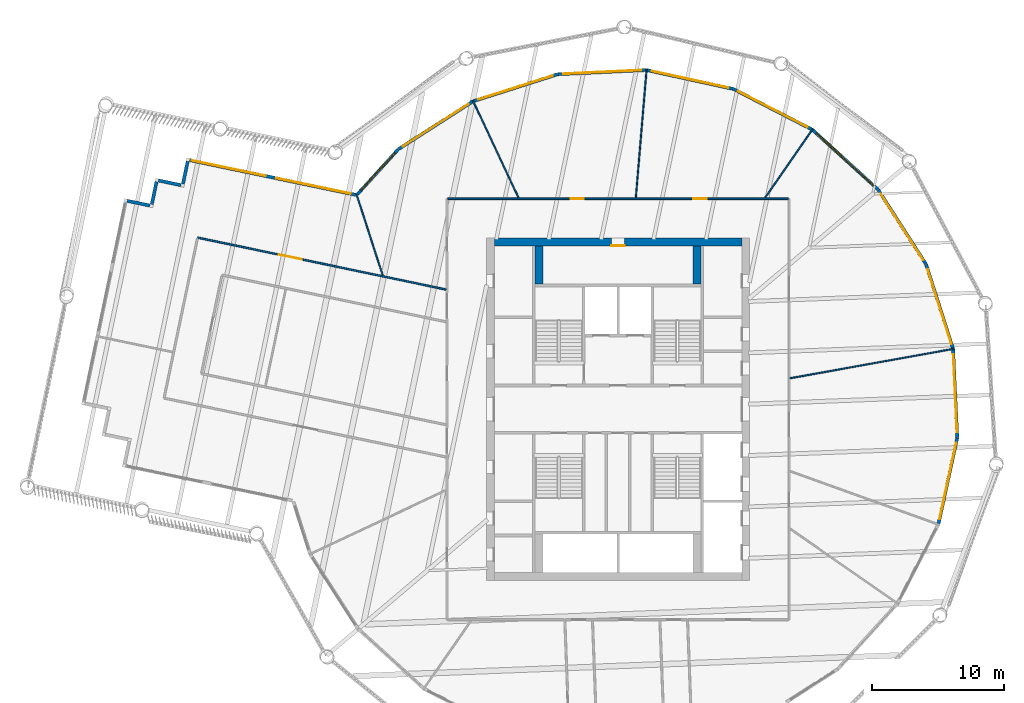
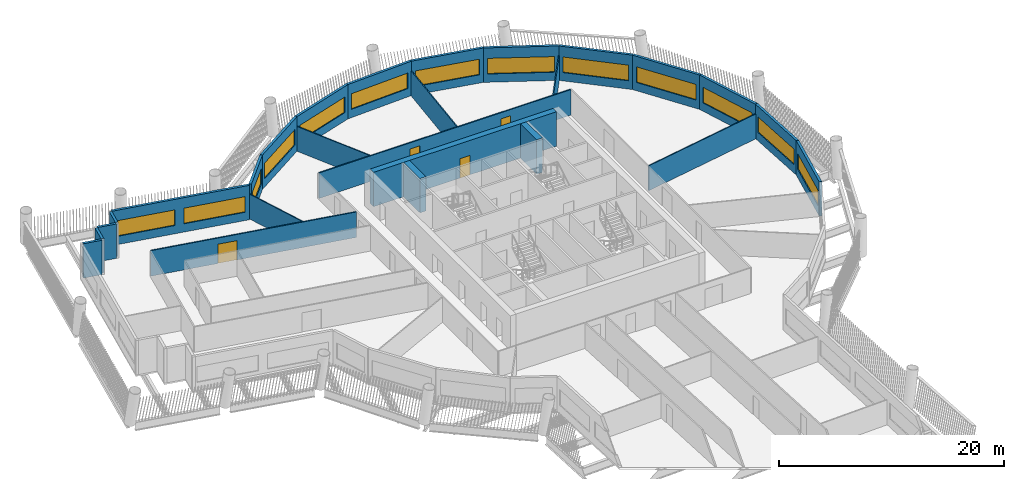
# One storey, part 6 of 14: 26 walls, 13 windows, 4 doors, 17 openings.
"""IFC4 building model written with IfcOpenShell, lengths in metres."""

from ifc_helpers import new_model, si_unit, direction, frame, frame_2d, origin, place, context, subcontext, project, spatial, rectangle, extrude, material, layer, layer_set, type_object, element, fill, save


model = new_model("IFC4")

# Units and contexts
model_context = context("Model", 3, precision=1e-05, world=origin(), true_north=direction((0.0, 1.0)))
body_context = subcontext(model_context, "Body", "Model", "MODEL_VIEW")
ifc_project = project(units=[si_unit("LENGTHUNIT", "METRE"), si_unit("AREAUNIT", "SQUARE_METRE"), si_unit("VOLUMEUNIT", "CUBIC_METRE"), si_unit("PLANEANGLEUNIT", "RADIAN"), si_unit("MASSUNIT", "GRAM", prefix="KILO")], contexts=[model_context])

# Site, building, storey
site_placement = place(None, origin())
site = spatial("IfcSite", under=ifc_project, at=site_placement, CompositionType="ELEMENT")
building_placement = place(site_placement, origin())
building = spatial("IfcBuilding", under=site, at=building_placement, Name="Tarsis Ring Headquarters", CompositionType="ELEMENT")
storey_placement = place(building_placement, frame((0.0, 0.0, 235.5)))
storey = spatial("IfcBuildingStorey", under=building, at=storey_placement, Name="L55", CompositionType="ELEMENT", Elevation=235.5)

# Wall, opening, door
ifc_material_1 = material(Name="Concrete C50/60", Category="concrete")
ifc_layer_1 = layer(ifc_material_1, 0.60009765625)
ifc_layer_set_1 = layer_set([ifc_layer_1], Name="Core wall 600 C50/60")
wall_type_1 = type_object("IfcWallType", Name="Core wall 600 C50/60", PredefinedType="SHEAR", material=ifc_layer_set_1)
wall_1_placement = place(storey_placement, frame((-9.39990234375, 12.699951171875, 0.0), z_axis=(0.0, 0.0, 1.0), x_axis=(1.0, 0.0, 0.0)))
wall_1 = element("IfcWall", 1, at=wall_1_placement, inside=storey, type_object=wall_type_1, Name="Core wall ON", PredefinedType="SHEAR", context=body_context, shape_type="SweptSolid", body=[
    extrude(rectangle(XDim=18.7998046875, YDim=0.60009765625, at=frame_2d((9.39990234375, 0.0))), origin(), (0.0, 0.0, 1.0), 3.739990234375),
])
opening_1_placement = place(wall_1_placement, frame((8.89990234375, 0.0, 0.0)))
opening_1 = element("IfcOpeningElement", 2, at=opening_1_placement, cuts=wall_1, Name="Opening L55-C15", PredefinedType="OPENING", context=body_context, shape_type="SweptSolid", body=[
    extrude(rectangle(XDim=1.0, YDim=2.10009765625, at=frame_2d((0.5, 1.050048828125))), frame((0.0, 0.31005859375, 0.0), z_axis=(0.0, -1.0, 0.0), x_axis=(1.0, 0.0, 0.0)), (0.0, 0.0, 1.0), 0.6201171875),
])
ifc_material_2 = material(Name="Steel S355", Category="steel")
door_type_1 = type_object("IfcDoorType", Name="Core room door 1000x2100", OperationType="SINGLE_SWING_LEFT", PredefinedType="DOOR", material=ifc_material_2)
door_1_placement = place(opening_1_placement, origin())
door_1 = element("IfcDoor", 3, at=door_1_placement, inside=storey, type_object=door_type_1, Name="Core room door L55", OperationType="SINGLE_SWING_LEFT", OverallHeight=2.10009765625, OverallWidth=1.0, PredefinedType="DOOR", context=body_context, shape_type="SweptSolid", body=[
    extrude(rectangle(XDim=1.0, YDim=2.10009765625, at=frame_2d((0.5, 1.050048828125))), frame((0.0, -0.25, 0.0), z_axis=(0.0, -1.0, 0.0), x_axis=(1.0, 0.0, 0.0)), (0.0, 0.0, 1.0), 0.050048828125),
])
fill(opening_1, door_1)

# Walls
ifc_material_3 = material(Name="Gypsum board on steel studs", Category="steel")
ifc_layer_2 = layer(ifc_material_3, 0.10009765625)
ifc_layer_set_2 = layer_set([ifc_layer_2], Name="FL partition 100 unrated")
wall_type_2 = type_object("IfcWallType", Name="FL partition 100 unrated", PredefinedType="PARTITIONING", material=ifc_layer_set_2)
wall_2_placement = place(storey_placement, frame((13.06884765625, 2.3515625, 0.0), z_axis=(0.0, 0.0, 1.0), x_axis=(0.984197230571, 0.177075722039, 0.0)))
element("IfcWall", 4, at=wall_2_placement, inside=storey, type_object=wall_type_2, Name="Partition PW3", PredefinedType="PARTITIONING", context=body_context, shape_type="SweptSolid", body=[
    extrude(rectangle(XDim=12.669189453125, YDim=0.10009765625, at=frame_2d((6.33447265625, 0.0))), origin(), (0.0, 0.0, 1.0), 2.699951171875),
])
wall_3_placement = place(storey_placement, frame((1.349365234375, 16.06982421875, 0.0), z_axis=(0.0, 0.0, 1.0), x_axis=(0.083697604442, 0.996491199665, 0.0)))
element("IfcWall", 5, at=wall_3_placement, inside=storey, type_object=wall_type_2, Name="Partition PW3", PredefinedType="PARTITIONING", context=body_context, shape_type="SweptSolid", body=[
    extrude(rectangle(XDim=9.8212890625, YDim=0.10009765625, at=frame_2d((4.91064453125, 0.0))), origin(), (0.0, 0.0, 1.0), 2.699951171875),
])
wall_4_placement = place(storey_placement, frame((-11.048095703125, 23.478271484375, 0.0), z_axis=(0.0, 0.0, 1.0), x_axis=(0.42580134582, -0.904816674193, 0.0)))
element("IfcWall", 6, at=wall_4_placement, inside=storey, type_object=wall_type_2, Name="Partition PW3", PredefinedType="PARTITIONING", context=body_context, shape_type="SweptSolid", body=[
    extrude(rectangle(XDim=8.184814453125, YDim=0.10009765625, at=frame_2d((4.09228515625, 0.0))), origin(), (0.0, 0.0, 1.0), 2.699951171875),
])
wall_5_placement = place(storey_placement, frame((-19.88232421875, 16.3359375, 0.0), z_axis=(0.0, 0.0, 1.0), x_axis=(0.308199143562, -0.951321863466, 0.0)))
element("IfcWall", 7, at=wall_5_placement, inside=storey, type_object=wall_type_2, Name="Partition PW3", PredefinedType="PARTITIONING", context=body_context, shape_type="SweptSolid", body=[
    extrude(rectangle(XDim=6.468017578125, YDim=0.10009765625, at=frame_2d((3.23388671875, 0.0))), origin(), (0.0, 0.0, 1.0), 2.699951171875),
])
wall_6_placement = place(storey_placement, frame((11.177490234375, 16.08203125, 0.0), z_axis=(0.0, 0.0, 1.0), x_axis=(0.570693452675, 0.821163189064, 0.0)))
element("IfcWall", 8, at=wall_6_placement, inside=storey, type_object=wall_type_2, Name="Partition PW3", PredefinedType="PARTITIONING", context=body_context, shape_type="SweptSolid", body=[
    extrude(rectangle(XDim=6.363037109375, YDim=0.10009765625, at=frame_2d((3.181640625, 0.0))), origin(), (0.0, 0.0, 1.0), 2.699951171875),
])

# Wall, openings, doors
ifc_layer_3 = layer(ifc_material_3, 0.125)
ifc_layer_set_3 = layer_set([ifc_layer_3], Name="FL partition 125 EI 60 H2770")
wall_type_3 = type_object("IfcWallType", Name="FL partition 125 EI 60 H2770", PredefinedType="PARTITIONING", material=ifc_layer_set_3)
wall_7_placement = place(storey_placement, frame((-12.93994140625, 16.0, 0.0), z_axis=(0.0, 0.0, 1.0), x_axis=(1.0, 0.0, 0.0)))
wall_7 = element("IfcWall", 9, at=wall_7_placement, inside=storey, type_object=wall_type_3, Name="Partition PW1", PredefinedType="PARTITIONING", context=body_context, shape_type="SweptSolid", body=[
    extrude(rectangle(XDim=25.8798828125, YDim=0.125, at=frame_2d((12.93994140625, 0.0))), origin(), (0.0, 0.0, 1.0), 2.77001953125),
])
opening_2_placement = place(wall_7_placement, frame((9.347412109375, 0.0, 0.0)))
opening_2 = element("IfcOpeningElement", 10, at=opening_2_placement, cuts=wall_7, Name="Opening D55.04", PredefinedType="OPENING", context=body_context, shape_type="SweptSolid", body=[
    extrude(rectangle(XDim=1.0, YDim=2.10009765625, at=frame_2d((0.5, 1.050048828125))), frame((0.0, 0.072509765625, 0.0), z_axis=(0.0, -1.0, 0.0), x_axis=(1.0, 0.0, 0.0)), (0.0, 0.0, 1.0), 0.14501953125),
])
opening_3_placement = place(wall_7_placement, frame((18.671875, 0.0, 0.0)))
opening_3 = element("IfcOpeningElement", 11, at=opening_3_placement, cuts=wall_7, Name="Opening D55.05", PredefinedType="OPENING", context=body_context, shape_type="SweptSolid", body=[
    extrude(rectangle(XDim=1.0, YDim=2.10009765625, at=frame_2d((0.5, 1.050048828125))), frame((0.0, 0.072509765625, 0.0), z_axis=(0.0, -1.0, 0.0), x_axis=(1.0, 0.0, 0.0)), (0.0, 0.0, 1.0), 0.14501953125),
])
ifc_material_4 = material(Name="Fire-rated timber door leaf in steel frame", Category="steel")
door_type_2 = type_object("IfcDoorType", Name="FL door FD60-1000", OperationType="NOTDEFINED", PredefinedType="DOOR", material=ifc_material_4)
door_2_placement = place(opening_2_placement, origin())
door_2 = element("IfcDoor", 12, at=door_2_placement, inside=storey, type_object=door_type_2, Name="Door D55.04", OperationType="SINGLE_SWING_LEFT", OverallHeight=2.10009765625, OverallWidth=1.0, PredefinedType="DOOR", context=body_context, shape_type="SweptSolid", body=[
    extrude(rectangle(XDim=1.0, YDim=2.10009765625, at=frame_2d((0.5, 1.050048828125))), frame((0.0, 0.02490234375, 0.0), z_axis=(0.0, -1.0, 0.0), x_axis=(1.0, 0.0, 0.0)), (0.0, 0.0, 1.0), 0.050048828125),
])
fill(opening_2, door_2)
door_3_placement = place(opening_3_placement, origin())
door_3 = element("IfcDoor", 13, at=door_3_placement, inside=storey, type_object=door_type_2, Name="Door D55.05", OperationType="SINGLE_SWING_RIGHT", OverallHeight=2.10009765625, OverallWidth=1.0, PredefinedType="DOOR", context=body_context, shape_type="SweptSolid", body=[
    extrude(rectangle(XDim=1.0, YDim=2.10009765625, at=frame_2d((0.5, 1.050048828125))), frame((0.0, 0.02490234375, 0.0), z_axis=(0.0, -1.0, 0.0), x_axis=(1.0, 0.0, 0.0)), (0.0, 0.0, 1.0), 0.050048828125),
])
fill(opening_3, door_3)

# Wall, opening, door
wall_8_placement = place(storey_placement, frame((-31.95849609375, 13.041015625, 0.0), z_axis=(0.0, 0.0, 1.0), x_axis=(0.978867545405, -0.20449530203, 0.0)))
wall_8 = element("IfcWall", 14, at=wall_8_placement, inside=storey, type_object=wall_type_3, Name="Partition PW1", PredefinedType="PARTITIONING", context=body_context, shape_type="SweptSolid", body=[
    extrude(rectangle(XDim=19.297607421875, YDim=0.125, at=frame_2d((9.64892578125, 0.0))), origin(), (0.0, 0.0, 1.0), 2.77001953125),
])
opening_4_placement = place(wall_8_placement, frame((6.299560546875, 0.0, 0.0)))
opening_4 = element("IfcOpeningElement", 15, at=opening_4_placement, cuts=wall_8, Name="Opening D55.02", PredefinedType="OPENING", context=body_context, shape_type="SweptSolid", body=[
    extrude(rectangle(XDim=1.800048828125, YDim=2.10009765625, at=frame_2d((0.89990234375, 1.050048828125))), frame((0.0, 0.072509765625, 0.0), z_axis=(0.0, -1.0, 0.0), x_axis=(1.0, 0.0, 0.0)), (0.0, 0.0, 1.0), 0.14501953125),
])
door_type_3 = type_object("IfcDoorType", Name="FL door FD60-1800", OperationType="DOUBLE_DOOR_SINGLE_SWING", PredefinedType="DOOR", material=ifc_material_4)
door_4_placement = place(opening_4_placement, origin())
door_4 = element("IfcDoor", 16, at=door_4_placement, inside=storey, type_object=door_type_3, Name="Door D55.02", OperationType="DOUBLE_DOOR_SINGLE_SWING", OverallHeight=2.10009765625, OverallWidth=1.800048828125, PredefinedType="DOOR", context=body_context, shape_type="SweptSolid", body=[
    extrude(rectangle(XDim=1.800048828125, YDim=2.10009765625, at=frame_2d((0.89990234375, 1.050048828125))), frame((0.0, 0.02490234375, 0.0), z_axis=(0.0, -1.0, 0.0), x_axis=(1.0, 0.0, 0.0)), (0.0, 0.0, 1.0), 0.050048828125),
])
fill(opening_4, door_4)

# Wall, opening, window
ifc_material_5 = material(Name="Terracotta clad insulated panel wall", Category="masonry")
ifc_layer_4 = layer(ifc_material_5, 0.25)
ifc_layer_set_4 = layer_set([ifc_layer_4], Name="Facade wall terracotta panel 250")
wall_type_4 = type_object("IfcWallType", Name="Facade wall terracotta panel 250", PredefinedType="STANDARD", material=ifc_layer_set_4)
wall_9_placement = place(storey_placement, frame((24.347900390625, -8.748291015625, 0.0), z_axis=(0.0, 0.0, 1.0), x_axis=(0.213032797169, 0.977045048772, 0.0)))
wall_9 = element("IfcWall", 17, at=wall_9_placement, inside=storey, type_object=wall_type_4, Name="External wall L55-20", PredefinedType="STANDARD", context=body_context, shape_type="SweptSolid", body=[
    extrude(rectangle(XDim=6.721435546875, YDim=0.25, at=frame_2d((3.36083984375, 0.0))), origin(), (0.0, 0.0, 1.0), 3.739990234375),
])
opening_5_placement = place(wall_9_placement, frame((0.3857421875, 0.0, 0.89990234375)))
opening_5 = element("IfcOpeningElement", 18, at=opening_5_placement, cuts=wall_9, Name="Opening WN07", PredefinedType="OPENING", context=body_context, shape_type="SweptSolid", body=[
    extrude(rectangle(XDim=5.949951171875, YDim=1.699951171875, at=frame_2d((2.97509765625, 0.85009765625))), frame((0.0, 0.135009765625, 0.0), z_axis=(0.0, -1.0, 0.0), x_axis=(1.0, 0.0, 0.0)), (0.0, 0.0, 1.0), 0.27001953125),
])
ifc_material_6 = material(Name="Aluminium framed double glazing", Category="aluminium")
window_type_1 = type_object("IfcWindowType", Name="Facade window 5950 x 1700", PartitioningType="SINGLE_PANEL", PredefinedType="WINDOW", material=ifc_material_6)
window_1_placement = place(opening_5_placement, origin())
window_1 = element("IfcWindow", 19, at=window_1_placement, inside=storey, type_object=window_type_1, Name="Window L55-20.1", OverallHeight=1.699951171875, OverallWidth=5.949951171875, PartitioningType="SINGLE_PANEL", PredefinedType="WINDOW", context=body_context, shape_type="SweptSolid", body=[
    extrude(rectangle(XDim=5.949951171875, YDim=1.699951171875, at=frame_2d((2.97509765625, 0.85009765625))), frame((0.0, 0.030029296875, 0.0), z_axis=(0.0, -1.0, 0.0), x_axis=(1.0, 0.0, 0.0)), (0.0, 0.0, 1.0), 0.06005859375),
])
fill(opening_5, window_1)

wall_10_placement = place(storey_placement, frame((25.782470703125, -2.148681640625, 0.0), z_axis=(0.0, 0.0, 1.0), x_axis=(-0.047109558842, 0.998889728381, 0.0)))
wall_10 = element("IfcWall", 20, at=wall_10_placement, inside=storey, type_object=wall_type_4, Name="External wall L55-21", PredefinedType="STANDARD", context=body_context, shape_type="SweptSolid", body=[
    extrude(rectangle(XDim=6.7216796875, YDim=0.25, at=frame_2d((3.36083984375, 0.0))), origin(), (0.0, 0.0, 1.0), 3.739990234375),
])
opening_6_placement = place(wall_10_placement, frame((0.3857421875, 0.0, 0.89990234375)))
opening_6 = element("IfcOpeningElement", 21, at=opening_6_placement, cuts=wall_10, Name="Opening WN07", PredefinedType="OPENING", context=body_context, shape_type="SweptSolid", body=[
    extrude(rectangle(XDim=5.949951171875, YDim=1.699951171875, at=frame_2d((2.97509765625, 0.85009765625))), frame((0.0, 0.135009765625, 0.0), z_axis=(0.0, -1.0, 0.0), x_axis=(1.0, 0.0, 0.0)), (0.0, 0.0, 1.0), 0.27001953125),
])
window_2_placement = place(opening_6_placement, origin())
window_2 = element("IfcWindow", 22, at=window_2_placement, inside=storey, type_object=window_type_1, Name="Window L55-21.1", OverallHeight=1.699951171875, OverallWidth=5.949951171875, PartitioningType="SINGLE_PANEL", PredefinedType="WINDOW", context=body_context, shape_type="SweptSolid", body=[
    extrude(rectangle(XDim=5.949951171875, YDim=1.699951171875, at=frame_2d((2.97509765625, 0.85009765625))), frame((0.0, 0.030029296875, 0.0), z_axis=(0.0, -1.0, 0.0), x_axis=(1.0, 0.0, 0.0)), (0.0, 0.0, 1.0), 0.06005859375),
])
fill(opening_6, window_2)

wall_11_placement = place(storey_placement, frame((25.4599609375, 4.59765625, 0.0), z_axis=(0.0, 0.0, 1.0), x_axis=(-0.30401913235, 0.952665926317, 0.0)))
wall_11 = element("IfcWall", 23, at=wall_11_placement, inside=storey, type_object=wall_type_4, Name="External wall L55-22", PredefinedType="STANDARD", context=body_context, shape_type="SweptSolid", body=[
    extrude(rectangle(XDim=6.721435546875, YDim=0.25, at=frame_2d((3.36083984375, 0.0))), origin(), (0.0, 0.0, 1.0), 3.739990234375),
])
opening_7_placement = place(wall_11_placement, frame((0.3857421875, 0.0, 0.89990234375)))
opening_7 = element("IfcOpeningElement", 24, at=opening_7_placement, cuts=wall_11, Name="Opening WN07", PredefinedType="OPENING", context=body_context, shape_type="SweptSolid", body=[
    extrude(rectangle(XDim=5.949951171875, YDim=1.699951171875, at=frame_2d((2.97509765625, 0.85009765625))), frame((0.0, 0.135009765625, 0.0), z_axis=(0.0, -1.0, 0.0), x_axis=(1.0, 0.0, 0.0)), (0.0, 0.0, 1.0), 0.27001953125),
])
window_3_placement = place(opening_7_placement, origin())
window_3 = element("IfcWindow", 25, at=window_3_placement, inside=storey, type_object=window_type_1, Name="Window L55-22.1", OverallHeight=1.699951171875, OverallWidth=5.949951171875, PartitioningType="SINGLE_PANEL", PredefinedType="WINDOW", context=body_context, shape_type="SweptSolid", body=[
    extrude(rectangle(XDim=5.949951171875, YDim=1.699951171875, at=frame_2d((2.97509765625, 0.85009765625))), frame((0.0, 0.030029296875, 0.0), z_axis=(0.0, -1.0, 0.0), x_axis=(1.0, 0.0, 0.0)), (0.0, 0.0, 1.0), 0.06005859375),
])
fill(opening_7, window_3)

wall_12_placement = place(storey_placement, frame((23.402587890625, 11.030517578125, 0.0), z_axis=(0.0, 0.0, 1.0), x_axis=(-0.54025082343, 0.841504039077, 0.0)))
wall_12 = element("IfcWall", 26, at=wall_12_placement, inside=storey, type_object=wall_type_4, Name="External wall L55-23", PredefinedType="STANDARD", context=body_context, shape_type="SweptSolid", body=[
    extrude(rectangle(XDim=6.7216796875, YDim=0.25, at=frame_2d((3.36083984375, 0.0))), origin(), (0.0, 0.0, 1.0), 3.739990234375),
])
opening_8_placement = place(wall_12_placement, frame((0.3857421875, 0.0, 0.89990234375)))
opening_8 = element("IfcOpeningElement", 27, at=opening_8_placement, cuts=wall_12, Name="Opening WN07", PredefinedType="OPENING", context=body_context, shape_type="SweptSolid", body=[
    extrude(rectangle(XDim=5.949951171875, YDim=1.699951171875, at=frame_2d((2.97509765625, 0.85009765625))), frame((0.0, 0.135009765625, 0.0), z_axis=(0.0, -1.0, 0.0), x_axis=(1.0, 0.0, 0.0)), (0.0, 0.0, 1.0), 0.27001953125),
])
window_4_placement = place(opening_8_placement, origin())
window_4 = element("IfcWindow", 28, at=window_4_placement, inside=storey, type_object=window_type_1, Name="Window L55-23.1", OverallHeight=1.699951171875, OverallWidth=5.949951171875, PartitioningType="SINGLE_PANEL", PredefinedType="WINDOW", context=body_context, shape_type="SweptSolid", body=[
    extrude(rectangle(XDim=5.949951171875, YDim=1.699951171875, at=frame_2d((2.97509765625, 0.85009765625))), frame((0.0, 0.030029296875, 0.0), z_axis=(0.0, -1.0, 0.0), x_axis=(1.0, 0.0, 0.0)), (0.0, 0.0, 1.0), 0.06005859375),
])
fill(opening_8, window_4)

wall_13_placement = place(storey_placement, frame((19.750244140625, 16.711669921875, 0.0), z_axis=(0.0, 0.0, 1.0), x_axis=(-0.739629365562, 0.673014414109, 0.0)))
wall_13 = element("IfcWall", 29, at=wall_13_placement, inside=storey, type_object=wall_type_4, Name="External wall L55-24", PredefinedType="STANDARD", context=body_context, shape_type="SweptSolid", body=[
    extrude(rectangle(XDim=6.721435546875, YDim=0.25, at=frame_2d((3.36083984375, 0.0))), origin(), (0.0, 0.0, 1.0), 3.739990234375),
])
opening_9_placement = place(wall_13_placement, frame((0.3857421875, 0.0, 0.89990234375)))
opening_9 = element("IfcOpeningElement", 30, at=opening_9_placement, cuts=wall_13, Name="Opening WN07", PredefinedType="OPENING", context=body_context, shape_type="SweptSolid", body=[
    extrude(rectangle(XDim=5.949951171875, YDim=1.699951171875, at=frame_2d((2.97509765625, 0.85009765625))), frame((0.0, 0.135009765625, 0.0), z_axis=(0.0, -1.0, 0.0), x_axis=(1.0, 0.0, 0.0)), (0.0, 0.0, 1.0), 0.27001953125),
])
window_5_placement = place(opening_9_placement, origin())
window_5 = element("IfcWindow", 31, at=window_5_placement, inside=storey, type_object=window_type_1, Name="Window L55-24.1", OverallHeight=1.699951171875, OverallWidth=5.949951171875, PartitioningType="SINGLE_PANEL", PredefinedType="WINDOW", context=body_context, shape_type="SweptSolid", body=[
    extrude(rectangle(XDim=5.949951171875, YDim=1.699951171875, at=frame_2d((2.97509765625, 0.85009765625))), frame((0.0, 0.030029296875, 0.0), z_axis=(0.0, -1.0, 0.0), x_axis=(1.0, 0.0, 0.0)), (0.0, 0.0, 1.0), 0.06005859375),
])
fill(opening_9, window_5)

wall_14_placement = place(storey_placement, frame((14.751953125, 21.25390625, 0.0), z_axis=(0.0, 0.0, 1.0), x_axis=(-0.888622089643, 0.458640144121, 0.0)))
wall_14 = element("IfcWall", 32, at=wall_14_placement, inside=storey, type_object=wall_type_4, Name="External wall L55-25", PredefinedType="STANDARD", context=body_context, shape_type="SweptSolid", body=[
    extrude(rectangle(XDim=6.721435546875, YDim=0.25, at=frame_2d((3.36083984375, 0.0))), origin(), (0.0, 0.0, 1.0), 3.739990234375),
])
opening_10_placement = place(wall_14_placement, frame((0.3857421875, 0.0, 0.89990234375)))
opening_10 = element("IfcOpeningElement", 33, at=opening_10_placement, cuts=wall_14, Name="Opening WN07", PredefinedType="OPENING", context=body_context, shape_type="SweptSolid", body=[
    extrude(rectangle(XDim=5.949951171875, YDim=1.699951171875, at=frame_2d((2.97509765625, 0.85009765625))), frame((0.0, 0.135009765625, 0.0), z_axis=(0.0, -1.0, 0.0), x_axis=(1.0, 0.0, 0.0)), (0.0, 0.0, 1.0), 0.27001953125),
])
window_6_placement = place(opening_10_placement, origin())
window_6 = element("IfcWindow", 34, at=window_6_placement, inside=storey, type_object=window_type_1, Name="Window L55-25.1", OverallHeight=1.699951171875, OverallWidth=5.949951171875, PartitioningType="SINGLE_PANEL", PredefinedType="WINDOW", context=body_context, shape_type="SweptSolid", body=[
    extrude(rectangle(XDim=5.949951171875, YDim=1.699951171875, at=frame_2d((2.97509765625, 0.85009765625))), frame((0.0, 0.030029296875, 0.0), z_axis=(0.0, -1.0, 0.0), x_axis=(1.0, 0.0, 0.0)), (0.0, 0.0, 1.0), 0.06005859375),
])
fill(opening_10, window_6)

wall_15_placement = place(storey_placement, frame((8.748291015625, 24.347900390625, 0.0), z_axis=(0.0, 0.0, 1.0), x_axis=(-0.977045048772, 0.213032797169, 0.0)))
wall_15 = element("IfcWall", 35, at=wall_15_placement, inside=storey, type_object=wall_type_4, Name="External wall L55-26", PredefinedType="STANDARD", context=body_context, shape_type="SweptSolid", body=[
    extrude(rectangle(XDim=6.721435546875, YDim=0.25, at=frame_2d((3.36083984375, 0.0))), origin(), (0.0, 0.0, 1.0), 3.739990234375),
])
opening_11_placement = place(wall_15_placement, frame((0.3857421875, 0.0, 0.89990234375)))
opening_11 = element("IfcOpeningElement", 36, at=opening_11_placement, cuts=wall_15, Name="Opening WN07", PredefinedType="OPENING", context=body_context, shape_type="SweptSolid", body=[
    extrude(rectangle(XDim=5.949951171875, YDim=1.699951171875, at=frame_2d((2.97509765625, 0.85009765625))), frame((0.0, 0.135009765625, 0.0), z_axis=(0.0, -1.0, 0.0), x_axis=(1.0, 0.0, 0.0)), (0.0, 0.0, 1.0), 0.27001953125),
])
window_7_placement = place(opening_11_placement, origin())
window_7 = element("IfcWindow", 37, at=window_7_placement, inside=storey, type_object=window_type_1, Name="Window L55-26.1", OverallHeight=1.699951171875, OverallWidth=5.949951171875, PartitioningType="SINGLE_PANEL", PredefinedType="WINDOW", context=body_context, shape_type="SweptSolid", body=[
    extrude(rectangle(XDim=5.949951171875, YDim=1.699951171875, at=frame_2d((2.97509765625, 0.85009765625))), frame((0.0, 0.030029296875, 0.0), z_axis=(0.0, -1.0, 0.0), x_axis=(1.0, 0.0, 0.0)), (0.0, 0.0, 1.0), 0.06005859375),
])
fill(opening_11, window_7)

wall_16_placement = place(storey_placement, frame((2.148681640625, 25.782470703125, 0.0), z_axis=(0.0, 0.0, 1.0), x_axis=(-0.998889728381, -0.047109558842, 0.0)))
wall_16 = element("IfcWall", 38, at=wall_16_placement, inside=storey, type_object=wall_type_4, Name="External wall L55-27", PredefinedType="STANDARD", context=body_context, shape_type="SweptSolid", body=[
    extrude(rectangle(XDim=6.7216796875, YDim=0.25, at=frame_2d((3.36083984375, 0.0))), origin(), (0.0, 0.0, 1.0), 3.739990234375),
])
opening_12_placement = place(wall_16_placement, frame((0.3857421875, 0.0, 0.89990234375)))
opening_12 = element("IfcOpeningElement", 39, at=opening_12_placement, cuts=wall_16, Name="Opening WN07", PredefinedType="OPENING", context=body_context, shape_type="SweptSolid", body=[
    extrude(rectangle(XDim=5.949951171875, YDim=1.699951171875, at=frame_2d((2.97509765625, 0.85009765625))), frame((0.0, 0.135009765625, 0.0), z_axis=(0.0, -1.0, 0.0), x_axis=(1.0, 0.0, 0.0)), (0.0, 0.0, 1.0), 0.27001953125),
])
window_8_placement = place(opening_12_placement, origin())
window_8 = element("IfcWindow", 40, at=window_8_placement, inside=storey, type_object=window_type_1, Name="Window L55-27.1", OverallHeight=1.699951171875, OverallWidth=5.949951171875, PartitioningType="SINGLE_PANEL", PredefinedType="WINDOW", context=body_context, shape_type="SweptSolid", body=[
    extrude(rectangle(XDim=5.949951171875, YDim=1.699951171875, at=frame_2d((2.97509765625, 0.85009765625))), frame((0.0, 0.030029296875, 0.0), z_axis=(0.0, -1.0, 0.0), x_axis=(1.0, 0.0, 0.0)), (0.0, 0.0, 1.0), 0.06005859375),
])
fill(opening_12, window_8)

wall_17_placement = place(storey_placement, frame((-4.59765625, 25.4599609375, 0.0), z_axis=(0.0, 0.0, 1.0), x_axis=(-0.952665926317, -0.30401913235, 0.0)))
wall_17 = element("IfcWall", 41, at=wall_17_placement, inside=storey, type_object=wall_type_4, Name="External wall L55-28", PredefinedType="STANDARD", context=body_context, shape_type="SweptSolid", body=[
    extrude(rectangle(XDim=6.721435546875, YDim=0.25, at=frame_2d((3.36083984375, 0.0))), origin(), (0.0, 0.0, 1.0), 3.739990234375),
])
opening_13_placement = place(wall_17_placement, frame((0.3857421875, 0.0, 0.89990234375)))
opening_13 = element("IfcOpeningElement", 42, at=opening_13_placement, cuts=wall_17, Name="Opening WN07", PredefinedType="OPENING", context=body_context, shape_type="SweptSolid", body=[
    extrude(rectangle(XDim=5.949951171875, YDim=1.699951171875, at=frame_2d((2.97509765625, 0.85009765625))), frame((0.0, 0.135009765625, 0.0), z_axis=(0.0, -1.0, 0.0), x_axis=(1.0, 0.0, 0.0)), (0.0, 0.0, 1.0), 0.27001953125),
])
window_9_placement = place(opening_13_placement, origin())
window_9 = element("IfcWindow", 43, at=window_9_placement, inside=storey, type_object=window_type_1, Name="Window L55-28.1", OverallHeight=1.699951171875, OverallWidth=5.949951171875, PartitioningType="SINGLE_PANEL", PredefinedType="WINDOW", context=body_context, shape_type="SweptSolid", body=[
    extrude(rectangle(XDim=5.949951171875, YDim=1.699951171875, at=frame_2d((2.97509765625, 0.85009765625))), frame((0.0, 0.030029296875, 0.0), z_axis=(0.0, -1.0, 0.0), x_axis=(1.0, 0.0, 0.0)), (0.0, 0.0, 1.0), 0.06005859375),
])
fill(opening_13, window_9)

wall_18_placement = place(storey_placement, frame((-11.030517578125, 23.402587890625, 0.0), z_axis=(0.0, 0.0, 1.0), x_axis=(-0.841504039077, -0.54025082343, 0.0)))
wall_18 = element("IfcWall", 44, at=wall_18_placement, inside=storey, type_object=wall_type_4, Name="External wall L55-29", PredefinedType="STANDARD", context=body_context, shape_type="SweptSolid", body=[
    extrude(rectangle(XDim=6.7216796875, YDim=0.25, at=frame_2d((3.36083984375, 0.0))), origin(), (0.0, 0.0, 1.0), 3.739990234375),
])
opening_14_placement = place(wall_18_placement, frame((0.3857421875, 0.0, 0.89990234375)))
opening_14 = element("IfcOpeningElement", 45, at=opening_14_placement, cuts=wall_18, Name="Opening WN07", PredefinedType="OPENING", context=body_context, shape_type="SweptSolid", body=[
    extrude(rectangle(XDim=5.949951171875, YDim=1.699951171875, at=frame_2d((2.97509765625, 0.85009765625))), frame((0.0, 0.135009765625, 0.0), z_axis=(0.0, -1.0, 0.0), x_axis=(1.0, 0.0, 0.0)), (0.0, 0.0, 1.0), 0.27001953125),
])
window_10_placement = place(opening_14_placement, origin())
window_10 = element("IfcWindow", 46, at=window_10_placement, inside=storey, type_object=window_type_1, Name="Window L55-29.1", OverallHeight=1.699951171875, OverallWidth=5.949951171875, PartitioningType="SINGLE_PANEL", PredefinedType="WINDOW", context=body_context, shape_type="SweptSolid", body=[
    extrude(rectangle(XDim=5.949951171875, YDim=1.699951171875, at=frame_2d((2.97509765625, 0.85009765625))), frame((0.0, 0.030029296875, 0.0), z_axis=(0.0, -1.0, 0.0), x_axis=(1.0, 0.0, 0.0)), (0.0, 0.0, 1.0), 0.06005859375),
])
fill(opening_14, window_10)

wall_19_placement = place(storey_placement, frame((-16.711669921875, 19.750244140625, 0.0), z_axis=(0.0, 0.0, 1.0), x_axis=(-0.672985888534, -0.739655320967, 0.0)))
wall_19 = element("IfcWall", 47, at=wall_19_placement, inside=storey, type_object=wall_type_4, Name="External wall L55-30", PredefinedType="STANDARD", context=body_context, shape_type="SweptSolid", body=[
    extrude(rectangle(XDim=4.61767578125, YDim=0.25, at=frame_2d((2.308837890625, 0.0))), origin(), (0.0, 0.0, 1.0), 3.739990234375),
])
opening_15_placement = place(wall_19_placement, frame((0.367431640625, 0.0, 0.89990234375)))
opening_15 = element("IfcOpeningElement", 48, at=opening_15_placement, cuts=wall_19, Name="Opening WN02", PredefinedType="OPENING", context=body_context, shape_type="SweptSolid", body=[
    extrude(rectangle(XDim=3.85009765625, YDim=1.699951171875, at=frame_2d((1.925048828125, 0.85009765625))), frame((0.0, 0.135009765625, 0.0), z_axis=(0.0, -1.0, 0.0), x_axis=(1.0, 0.0, 0.0)), (0.0, 0.0, 1.0), 0.27001953125),
])
window_type_2 = type_object("IfcWindowType", Name="Facade window 3850 x 1700", PartitioningType="SINGLE_PANEL", PredefinedType="WINDOW", material=ifc_material_6)
window_11_placement = place(opening_15_placement, origin())
window_11 = element("IfcWindow", 49, at=window_11_placement, inside=storey, type_object=window_type_2, Name="Window L55-30.1", OverallHeight=1.699951171875, OverallWidth=3.85009765625, PartitioningType="SINGLE_PANEL", PredefinedType="WINDOW", context=body_context, shape_type="SweptSolid", body=[
    extrude(rectangle(XDim=3.85009765625, YDim=1.699951171875, at=frame_2d((1.925048828125, 0.85009765625))), frame((0.0, 0.030029296875, 0.0), z_axis=(0.0, -1.0, 0.0), x_axis=(1.0, 0.0, 0.0)), (0.0, 0.0, 1.0), 0.06005859375),
])
fill(opening_15, window_11)

# Wall, openings, windows
wall_20_placement = place(storey_placement, frame((-19.9375, 16.296630859375, 0.0), z_axis=(0.0, 0.0, 1.0), x_axis=(-0.978868651356, 0.204490008053, 0.0)))
wall_20 = element("IfcWall", 50, at=wall_20_placement, inside=storey, type_object=wall_type_4, Name="External wall L55-31", PredefinedType="STANDARD", context=body_context, shape_type="SweptSolid", body=[
    extrude(rectangle(XDim=12.9013671875, YDim=0.25, at=frame_2d((6.45068359375, 0.0))), origin(), (0.0, 0.0, 1.0), 3.739990234375),
])
opening_16_placement = place(wall_20_placement, frame((0.412841796875, 0.0, 0.89990234375)))
opening_16 = element("IfcOpeningElement", 51, at=opening_16_placement, cuts=wall_20, Name="Opening WN06", PredefinedType="OPENING", context=body_context, shape_type="SweptSolid", body=[
    extrude(rectangle(XDim=5.75, YDim=1.699951171875, at=frame_2d((2.875, 0.85009765625))), frame((0.0, 0.135009765625, 0.0), z_axis=(0.0, -1.0, 0.0), x_axis=(1.0, 0.0, 0.0)), (0.0, 0.0, 1.0), 0.27001953125),
])
opening_17_placement = place(wall_20_placement, frame((6.988525390625, 0.0, 0.89990234375)))
opening_17 = element("IfcOpeningElement", 52, at=opening_17_placement, cuts=wall_20, Name="Opening WN06", PredefinedType="OPENING", context=body_context, shape_type="SweptSolid", body=[
    extrude(rectangle(XDim=5.75, YDim=1.699951171875, at=frame_2d((2.875, 0.85009765625))), frame((0.0, 0.135009765625, 0.0), z_axis=(0.0, -1.0, 0.0), x_axis=(1.0, 0.0, 0.0)), (0.0, 0.0, 1.0), 0.27001953125),
])
window_type_3 = type_object("IfcWindowType", Name="Facade window 5750 x 1700", PartitioningType="SINGLE_PANEL", PredefinedType="WINDOW", material=ifc_material_6)
window_12_placement = place(opening_16_placement, origin())
window_12 = element("IfcWindow", 53, at=window_12_placement, inside=storey, type_object=window_type_3, Name="Window L55-31.1", OverallHeight=1.699951171875, OverallWidth=5.75, PartitioningType="SINGLE_PANEL", PredefinedType="WINDOW", context=body_context, shape_type="SweptSolid", body=[
    extrude(rectangle(XDim=5.75, YDim=1.699951171875, at=frame_2d((2.875, 0.85009765625))), frame((0.0, 0.030029296875, 0.0), z_axis=(0.0, -1.0, 0.0), x_axis=(1.0, 0.0, 0.0)), (0.0, 0.0, 1.0), 0.06005859375),
])
fill(opening_16, window_12)
window_13_placement = place(opening_17_placement, origin())
window_13 = element("IfcWindow", 54, at=window_13_placement, inside=storey, type_object=window_type_3, Name="Window L55-31.2", OverallHeight=1.699951171875, OverallWidth=5.75, PartitioningType="SINGLE_PANEL", PredefinedType="WINDOW", context=body_context, shape_type="SweptSolid", body=[
    extrude(rectangle(XDim=5.75, YDim=1.699951171875, at=frame_2d((2.875, 0.85009765625))), frame((0.0, 0.030029296875, 0.0), z_axis=(0.0, -1.0, 0.0), x_axis=(1.0, 0.0, 0.0)), (0.0, 0.0, 1.0), 0.06005859375),
])
fill(opening_17, window_13)

# Walls
wall_21_placement = place(storey_placement, frame((-32.714111328125, 18.837890625, 0.0), z_axis=(0.0, 0.0, 1.0), x_axis=(-0.20453364829, -0.978859533701, 0.0)))
element("IfcWall", 55, at=wall_21_placement, inside=storey, type_object=wall_type_4, Name="External wall L55-32", PredefinedType="STANDARD", context=body_context, shape_type="SweptSolid", body=[
    extrude(rectangle(XDim=1.75, YDim=0.25, at=frame_2d((0.875, 0.0))), origin(), (0.0, 0.0, 1.0), 3.739990234375),
])
for number, where, z_axis, x_axis, name in (
    (56, (-33.2197265625, 17.028076171875, 0.0), (0.0, 0.0, 1.0), (-0.978865369111, 0.204505719127, 0.0), "External wall L55-33"),
    (57, (-35.080810546875, 17.289306640625, 0.0), (0.0, 0.0, 1.0), (-0.204505719127, -0.978865369111, 0.0), "External wall L55-34"),
):
    element("IfcWall", number, at=place(storey_placement, frame(where, z_axis=z_axis, x_axis=x_axis)), inside=storey, type_object=wall_type_4, Name=name, PredefinedType="STANDARD", context=body_context, shape_type="SweptSolid", body=[
        extrude(rectangle(XDim=1.750244140625, YDim=0.25, at=frame_2d((0.875, 0.0))), origin(), (0.0, 0.0, 1.0), 3.739990234375),
    ])
wall_22_placement = place(storey_placement, frame((-35.586669921875, 15.4794921875, 0.0), z_axis=(0.0, 0.0, 1.0), x_axis=(-0.978859533701, 0.20453364829, 0.0)))
element("IfcWall", 58, at=wall_22_placement, inside=storey, type_object=wall_type_4, Name="External wall L55-35", PredefinedType="STANDARD", context=body_context, shape_type="SweptSolid", body=[
    extrude(rectangle(XDim=1.75, YDim=0.25, at=frame_2d((0.875, 0.0))), origin(), (0.0, 0.0, 1.0), 3.739990234375),
])
ifc_material_7 = material(Name="Concrete C32/40", Category="concrete")
ifc_layer_5 = layer(ifc_material_7, 0.60009765625)
ifc_layer_set_5 = layer_set([ifc_layer_5], Name="Shaft end wall 600 C32/40")
wall_type_5 = type_object("IfcWallType", Name="Shaft end wall 600 C32/40", PredefinedType="SOLIDWALL", material=ifc_layer_set_5)
for number, where, z_axis, x_axis, name in (
    (59, (-6.0, 9.5, 0.0), (0.0, 0.0, 1.0), (0.0, 1.0, 0.0), "Core shaft wall NNE1"),
    (60, (6.0, 9.5, 0.0), (0.0, 0.0, 1.0), (0.0, 1.0, 0.0), "Core shaft wall NNE2"),
):
    element("IfcWall", number, at=place(storey_placement, frame(where, z_axis=z_axis, x_axis=x_axis)), inside=storey, type_object=wall_type_5, Name=name, PredefinedType="SOLIDWALL", context=body_context, shape_type="SweptSolid", body=[
        extrude(rectangle(XDim=2.89990234375, YDim=0.60009765625, at=frame_2d((1.449951171875, 0.0))), origin(), (0.0, 0.0, 1.0), 3.739990234375),
    ])

save(model, "model.ifc")
